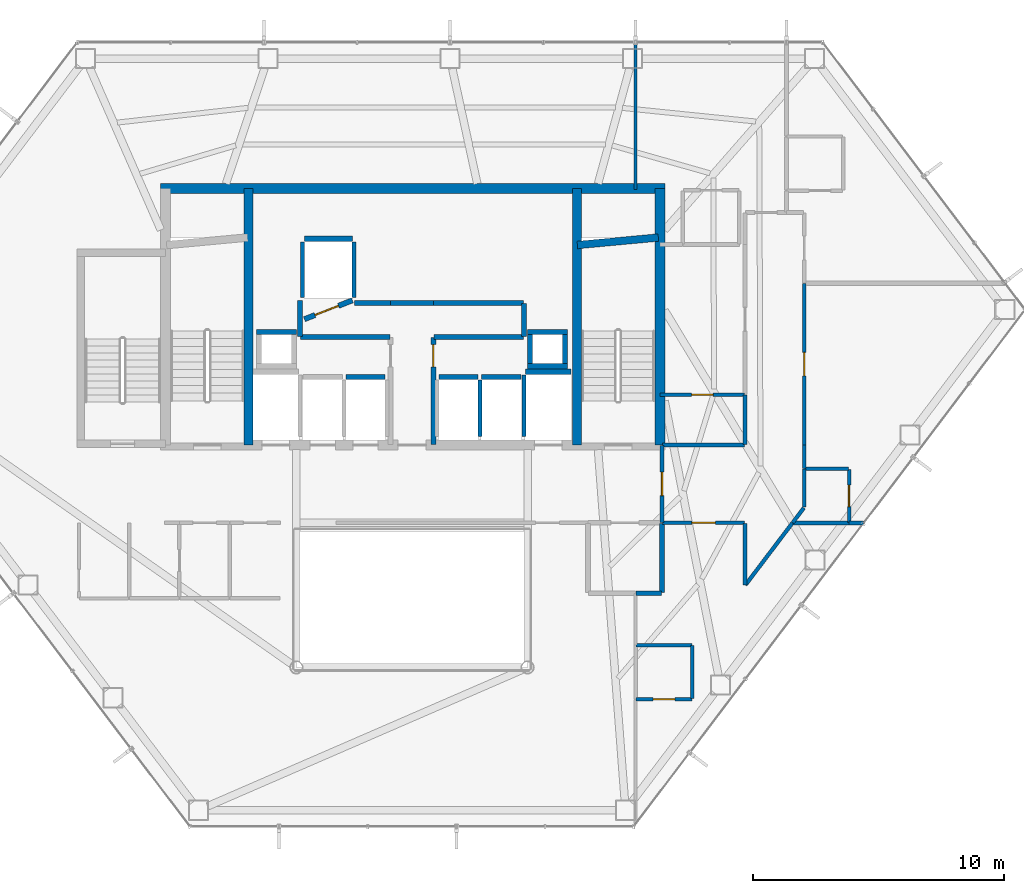
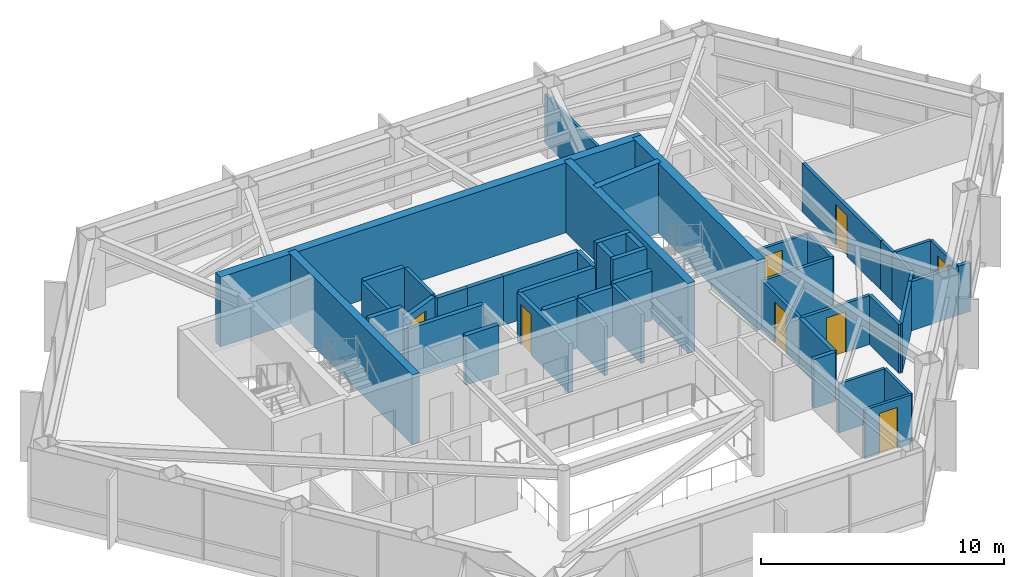
# One storey, part 26 of 28: 49 walls, 8 doors, 8 openings.
"""IFC4 building model written with IfcOpenShell, lengths in metres."""

from ifc_helpers import new_model, si_unit, direction, frame, frame_2d, origin, place, context, subcontext, project, spatial, rectangle, extrude, material, layer, layer_set, type_object, element, fill, save


model = new_model("IFC4")

# Units and contexts
model_context = context("Model", 3, precision=1e-05, world=origin(), true_north=direction((0.0, 1.0)))
body_context = subcontext(model_context, "Body", "Model", "MODEL_VIEW")
ifc_project = project(units=[si_unit("LENGTHUNIT", "METRE"), si_unit("AREAUNIT", "SQUARE_METRE"), si_unit("VOLUMEUNIT", "CUBIC_METRE"), si_unit("PLANEANGLEUNIT", "RADIAN"), si_unit("MASSUNIT", "GRAM", prefix="KILO")], contexts=[model_context])

# Site, building, storey
site_placement = place(None, origin())
site = spatial("IfcSite", under=ifc_project, at=site_placement, CompositionType="ELEMENT")
building_placement = place(site_placement, origin())
building = spatial("IfcBuilding", under=site, at=building_placement, Name="Zarrinselat Tower", CompositionType="ELEMENT")
storey_placement = place(building_placement, frame((0.0, 0.0, 123.419921875)))
storey = spatial("IfcBuildingStorey", under=building, at=storey_placement, Name="L29", CompositionType="ELEMENT", Elevation=123.419921875)

# Walls
ifc_material_1 = material(Name="Fire-Rated Gypsum Board Partition", Category="gypsum")
ifc_layer_1 = layer(ifc_material_1, 0.1650390625)
ifc_layer_set_1 = layer_set([ifc_layer_1], Name="Fire-Rated Gypsum Board Partition")
wall_type_1 = type_object("IfcWallType", Name="WAL-PART-DEMISE", PredefinedType="PARTITIONING", material=ifc_layer_set_1)
wall_1_placement = place(storey_placement, frame((55.7919921875, 30.14990234375, 0.0), z_axis=(0.0, 0.0, 1.0), x_axis=(1.0, 0.0, 0.0)))
element("IfcWall", 1, at=wall_1_placement, inside=storey, type_object=wall_type_1, Name="L29 Partition Wall 49", PredefinedType="PARTITIONING", context=body_context, shape_type="SweptSolid", body=[
    extrude(rectangle(XDim=0.565185546875, YDim=0.1650390625, at=frame_2d((0.28271484375, 0.0))), origin(), (0.0, 0.0, 1.0), 2.45703125),
])
wall_2_placement = place(storey_placement, frame((53.556884765625, 30.14990234375, 0.0), z_axis=(0.0, 0.0, 1.0), x_axis=(1.0, 0.0, 0.0)))
element("IfcWall", 2, at=wall_2_placement, inside=storey, type_object=wall_type_1, Name="L29 Partition Wall 50", PredefinedType="PARTITIONING", context=body_context, shape_type="SweptSolid", body=[
    extrude(rectangle(XDim=2.22509765625, YDim=0.1650390625, at=frame_2d((1.112548828125, 0.0))), origin(), (0.0, 0.0, 1.0), 2.45703125),
])
ifc_material_2 = material(Name="Concrete C40/50", Category="concrete")
ifc_layer_2 = layer(ifc_material_2, 0.18994140625)
ifc_layer_set_2 = layer_set([ifc_layer_2], Name="Concrete C40/50")
wall_type_2 = type_object("IfcWallType", Name="WAL-PART-EI120", PredefinedType="PARTITIONING", material=ifc_layer_set_2)
wall_3_placement = place(storey_placement, frame((47.304931640625, 27.35009765625, 0.0), z_axis=(0.0, 0.0, 1.0), x_axis=(1.0, 0.0, 0.0)))
element("IfcWall", 3, at=wall_3_placement, inside=storey, type_object=wall_type_2, Name="L29 Partition Wall 18", PredefinedType="PARTITIONING", context=body_context, shape_type="SweptSolid", body=[
    extrude(rectangle(XDim=1.025146484375, YDim=0.18994140625, at=frame_2d((0.5126953125, 0.0))), origin(), (0.0, 0.0, 1.0), 2.45703125),
])
wall_4_placement = place(storey_placement, frame((48.35009765625, 27.3701171875, 0.0), z_axis=(0.0, 0.0, 1.0), x_axis=(0.0, 1.0, 0.0)))
element("IfcWall", 4, at=wall_4_placement, inside=storey, type_object=wall_type_2, Name="L29 Partition Wall 19", PredefinedType="PARTITIONING", context=body_context, shape_type="SweptSolid", body=[
    extrude(rectangle(XDim=2.759765625, YDim=0.18994140625, at=frame_2d((1.3798828125, 0.0))), origin(), (0.0, 0.0, 1.0), 2.45703125),
])

# Wall, opening, door
ifc_material_3 = material(Name="Fire-Rated Gypsum Board Partition", Category="gypsum")
ifc_layer_3 = layer(ifc_material_3, 0.14990234375)
ifc_layer_set_3 = layer_set([ifc_layer_3], Name="Fire-Rated Gypsum Board Partition")
wall_type_3 = type_object("IfcWallType", Name="WAL-PART-EI60", PredefinedType="PARTITIONING", material=ifc_layer_set_3)
wall_5_placement = place(storey_placement, frame((48.35009765625, 30.169921875, 0.0), z_axis=(0.0, 0.0, 1.0), x_axis=(0.0, 1.0, 0.0)))
wall_5 = element("IfcWall", 5, at=wall_5_placement, inside=storey, type_object=wall_type_3, Name="L29 Partition Wall 11", PredefinedType="PARTITIONING", context=body_context, shape_type="SweptSolid", body=[
    extrude(rectangle(XDim=3.06005859375, YDim=0.14990234375, at=frame_2d((1.530029296875, 0.0))), origin(), (0.0, 0.0, 1.0), 2.45703125),
])
opening_1_placement = place(wall_5_placement, frame((1.06005859375, 0.0, 0.0)))
opening_1 = element("IfcOpeningElement", 6, at=opening_1_placement, cuts=wall_5, Name="Opening ID-04", PredefinedType="OPENING", context=body_context, shape_type="SweptSolid", body=[
    extrude(rectangle(XDim=0.93994140625, YDim=2.050048828125, at=frame_2d((0.469970703125, 1.02490234375))), frame((0.0, 0.0849609375, 0.0), z_axis=(0.0, -1.0, 0.0), x_axis=(1.0, 0.0, 0.0)), (0.0, 0.0, 1.0), 0.169921875),
])
ifc_material_4 = material(Name="Fire-Rated Gypsum Board Partition")
door_type_1 = type_object("IfcDoorType", Name="DR-INT-FD30-ENT", OperationType="NOTDEFINED", PredefinedType="DOOR", material=ifc_material_4)
door_1_placement = place(opening_1_placement, origin())
door_1 = element("IfcDoor", 7, at=door_1_placement, inside=storey, type_object=door_type_1, Name="L29 Interior Door P11", OperationType="SINGLE_SWING_LEFT", OverallHeight=2.050048828125, OverallWidth=0.93994140625, PredefinedType="DOOR", context=body_context, shape_type="SweptSolid", body=[
    extrude(rectangle(XDim=0.93994140625, YDim=2.050048828125, at=frame_2d((0.469970703125, 1.02490234375))), frame((0.0, 0.02490234375, 0.0), z_axis=(0.0, -1.0, 0.0), x_axis=(1.0, 0.0, 0.0)), (0.0, 0.0, 1.0), 0.050048828125),
])
fill(opening_1, door_1)

# Walls
wall_6_placement = place(storey_placement, frame((51.662109375, 27.67529296875, 0.0), z_axis=(0.0, 0.0, 1.0), x_axis=(0.603831940294, 0.797111653334, 0.0)))
element("IfcWall", 8, at=wall_6_placement, inside=storey, type_object=wall_type_3, Name="L29 Partition Wall 20", PredefinedType="PARTITIONING", context=body_context, shape_type="SweptSolid", body=[
    extrude(rectangle(XDim=3.103515625, YDim=0.14990234375, at=frame_2d((1.5517578125, 0.0))), origin(), (0.0, 0.0, 1.0), 2.45703125),
])
wall_7_placement = place(storey_placement, frame((51.64990234375, 27.67919921875, 0.0), z_axis=(0.0, 0.0, 1.0), x_axis=(0.0, 1.0, 0.0)))
element("IfcWall", 9, at=wall_7_placement, inside=storey, type_object=wall_type_3, Name="L29 Partition Wall 21", PredefinedType="PARTITIONING", context=body_context, shape_type="SweptSolid", body=[
    extrude(rectangle(XDim=2.45068359375, YDim=0.14990234375, at=frame_2d((1.225341796875, 0.0))), origin(), (0.0, 0.0, 1.0), 2.45703125),
])

# Wall, opening, door
wall_8_placement = place(storey_placement, frame((48.3701171875, 30.14990234375, 0.0), z_axis=(0.0, 0.0, 1.0), x_axis=(1.0, 0.0, 0.0)))
wall_8 = element("IfcWall", 10, at=wall_8_placement, inside=storey, type_object=wall_type_3, Name="L29 Partition Wall 22", PredefinedType="PARTITIONING", context=body_context, shape_type="SweptSolid", body=[
    extrude(rectangle(XDim=3.259765625, YDim=0.14990234375, at=frame_2d((1.6298828125, 0.0))), origin(), (0.0, 0.0, 1.0), 2.45703125),
])
opening_2_placement = place(wall_8_placement, frame((1.159912109375, 0.0, 0.0)))
opening_2 = element("IfcOpeningElement", 11, at=opening_2_placement, cuts=wall_8, Name="Opening ID-04", PredefinedType="OPENING", context=body_context, shape_type="SweptSolid", body=[
    extrude(rectangle(XDim=0.93994140625, YDim=2.050048828125, at=frame_2d((0.469970703125, 1.02490234375))), frame((0.0, 0.0849609375, 0.0), z_axis=(0.0, -1.0, 0.0), x_axis=(1.0, 0.0, 0.0)), (0.0, 0.0, 1.0), 0.169921875),
])
door_2_placement = place(opening_2_placement, origin())
door_2 = element("IfcDoor", 12, at=door_2_placement, inside=storey, type_object=door_type_1, Name="L29 Interior Door P22", OperationType="SINGLE_SWING_LEFT", OverallHeight=2.050048828125, OverallWidth=0.93994140625, PredefinedType="DOOR", context=body_context, shape_type="SweptSolid", body=[
    extrude(rectangle(XDim=0.93994140625, YDim=2.050048828125, at=frame_2d((0.469970703125, 1.02490234375))), frame((0.0, 0.02490234375, 0.0), z_axis=(0.0, -1.0, 0.0), x_axis=(1.0, 0.0, 0.0)), (0.0, 0.0, 1.0), 0.050048828125),
])
fill(opening_2, door_2)

wall_9_placement = place(storey_placement, frame((54.0, 33.25, 0.0), z_axis=(0.0, 0.0, 1.0), x_axis=(0.0, 1.0, 0.0)))
wall_9 = element("IfcWall", 13, at=wall_9_placement, inside=storey, type_object=wall_type_3, Name="L29 Partition Wall 23", PredefinedType="PARTITIONING", context=body_context, shape_type="SweptSolid", body=[
    extrude(rectangle(XDim=6.42333984375, YDim=0.14990234375, at=frame_2d((3.211669921875, 0.0))), origin(), (0.0, 0.0, 1.0), 2.45703125),
])
opening_3_placement = place(wall_9_placement, frame((2.74169921875, 0.0, 0.0)))
opening_3 = element("IfcOpeningElement", 14, at=opening_3_placement, cuts=wall_9, Name="Opening ID-04", PredefinedType="OPENING", context=body_context, shape_type="SweptSolid", body=[
    extrude(rectangle(XDim=0.93994140625, YDim=2.050048828125, at=frame_2d((0.469970703125, 1.02490234375))), frame((0.0, 0.0849609375, 0.0), z_axis=(0.0, -1.0, 0.0), x_axis=(1.0, 0.0, 0.0)), (0.0, 0.0, 1.0), 0.169921875),
])
door_3_placement = place(opening_3_placement, origin())
door_3 = element("IfcDoor", 15, at=door_3_placement, inside=storey, type_object=door_type_1, Name="L29 Interior Door P23", OperationType="SINGLE_SWING_RIGHT", OverallHeight=2.050048828125, OverallWidth=0.93994140625, PredefinedType="DOOR", context=body_context, shape_type="SweptSolid", body=[
    extrude(rectangle(XDim=0.93994140625, YDim=2.050048828125, at=frame_2d((0.469970703125, 1.02490234375))), frame((0.0, 0.02490234375, 0.0), z_axis=(0.0, -1.0, 0.0), x_axis=(1.0, 0.0, 0.0)), (0.0, 0.0, 1.0), 0.050048828125),
])
fill(opening_3, door_3)

# Walls
wall_10_placement = place(storey_placement, frame((54.0, 32.304931640625, 0.0), z_axis=(0.0, 0.0, 1.0), x_axis=(0.0, 1.0, 0.0)))
element("IfcWall", 16, at=wall_10_placement, inside=storey, type_object=wall_type_3, Name="L29 Partition Wall 24", PredefinedType="PARTITIONING", context=body_context, shape_type="SweptSolid", body=[
    extrude(rectangle(XDim=0.945068359375, YDim=0.14990234375, at=frame_2d((0.47265625, 0.0))), origin(), (0.0, 0.0, 1.0), 2.45703125),
])
wall_11_placement = place(storey_placement, frame((54.0, 30.78125, 0.0), z_axis=(0.0, 0.0, 1.0), x_axis=(0.0, 1.0, 0.0)))
element("IfcWall", 17, at=wall_11_placement, inside=storey, type_object=wall_type_3, Name="L29 Partition Wall 25", PredefinedType="PARTITIONING", context=body_context, shape_type="SweptSolid", body=[
    extrude(rectangle(XDim=1.513671875, YDim=0.14990234375, at=frame_2d((0.7568359375, 0.0))), origin(), (0.0, 0.0, 1.0), 2.45703125),
])
wall_12_placement = place(storey_placement, frame((53.5400390625, 30.154052734375, 0.0), z_axis=(0.0, 0.0, 1.0), x_axis=(0.603680225987, 0.797226557982, 0.0)))
element("IfcWall", 18, at=wall_12_placement, inside=storey, type_object=wall_type_3, Name="L29 Partition Wall 26", PredefinedType="PARTITIONING", context=body_context, shape_type="SweptSolid", body=[
    extrude(rectangle(XDim=0.74169921875, YDim=0.14990234375, at=frame_2d((0.370849609375, 0.0))), origin(), (0.0, 0.0, 1.0), 2.45703125),
])
wall_13_placement = place(storey_placement, frame((48.364990234375, 33.25, 0.0), z_axis=(0.0, 0.0, 1.0), x_axis=(1.0, 0.0, 0.0)))
element("IfcWall", 19, at=wall_13_placement, inside=storey, type_object=wall_type_3, Name="L29 Partition Wall 30", PredefinedType="PARTITIONING", context=body_context, shape_type="SweptSolid", body=[
    extrude(rectangle(XDim=3.264892578125, YDim=0.14990234375, at=frame_2d((1.63232421875, 0.0))), origin(), (0.0, 0.0, 1.0), 2.45703125),
])
wall_14_placement = place(storey_placement, frame((51.64990234375, 33.27001953125, 0.0), z_axis=(0.0, 0.0, 1.0), x_axis=(0.0, 1.0, 0.0)))
element("IfcWall", 20, at=wall_14_placement, inside=storey, type_object=wall_type_3, Name="L29 Partition Wall 31", PredefinedType="PARTITIONING", context=body_context, shape_type="SweptSolid", body=[
    extrude(rectangle(XDim=1.969482421875, YDim=0.14990234375, at=frame_2d((0.98486328125, 0.0))), origin(), (0.0, 0.0, 1.0), 2.45703125),
])
ifc_material_5 = material(Name="Concrete C40/50", Category="concrete")
ifc_layer_4 = layer(ifc_material_5, 0.199951171875)
ifc_layer_set_4 = layer_set([ifc_layer_4], Name="Concrete C40/50")
wall_type_4 = type_object("IfcWallType", Name="WAL-PART-PLANT", PredefinedType="PARTITIONING", material=ifc_layer_set_4)
wall_15_placement = place(storey_placement, frame((33.969970703125, 37.550048828125, 0.0), z_axis=(0.0, 0.0, 1.0), x_axis=(1.0, 0.0, 0.0)))
element("IfcWall", 21, at=wall_15_placement, inside=storey, type_object=wall_type_4, Name="L29 Partition Wall 2", PredefinedType="PARTITIONING", context=body_context, shape_type="SweptSolid", body=[
    extrude(rectangle(XDim=3.56005859375, YDim=0.199951171875, at=frame_2d((1.780029296875, 0.0))), origin(), (0.0, 0.0, 1.0), 2.45703125),
])
wall_16_placement = place(storey_placement, frame((33.949951171875, 37.570068359375, 0.0), z_axis=(0.0, 0.0, 1.0), x_axis=(0.0, 1.0, 0.0)))
element("IfcWall", 22, at=wall_16_placement, inside=storey, type_object=wall_type_4, Name="L29 Partition Wall 3", PredefinedType="PARTITIONING", context=body_context, shape_type="SweptSolid", body=[
    extrude(rectangle(XDim=1.4150390625, YDim=0.199951171875, at=frame_2d((0.70751953125, 0.0))), origin(), (0.0, 0.0, 1.0), 2.45703125),
])
wall_17_placement = place(storey_placement, frame((36.114990234375, 38.889892578125, 0.0), z_axis=(0.0, 0.0, 1.0), x_axis=(1.0, 0.0, 0.0)))
element("IfcWall", 23, at=wall_17_placement, inside=storey, type_object=wall_type_4, Name="L29 Partition Wall 4", PredefinedType="PARTITIONING", context=body_context, shape_type="SweptSolid", body=[
    extrude(rectangle(XDim=1.43505859375, YDim=0.199951171875, at=frame_2d((0.717529296875, 0.0))), origin(), (0.0, 0.0, 1.0), 2.45703125),
])
wall_18_placement = place(storey_placement, frame((37.550048828125, 38.889892578125, 0.0), z_axis=(0.0, 0.0, 1.0), x_axis=(1.0, 0.0, 0.0)))
element("IfcWall", 24, at=wall_18_placement, inside=storey, type_object=wall_type_4, Name="L29 Partition Wall 5", PredefinedType="PARTITIONING", context=body_context, shape_type="SweptSolid", body=[
    extrude(rectangle(XDim=1.699951171875, YDim=0.199951171875, at=frame_2d((0.85009765625, 0.0))), origin(), (0.0, 0.0, 1.0), 2.45703125),
])
wall_19_placement = place(storey_placement, frame((39.25, 38.889892578125, 0.0), z_axis=(0.0, 0.0, 1.0), x_axis=(1.0, 0.0, 0.0)))
element("IfcWall", 25, at=wall_19_placement, inside=storey, type_object=wall_type_4, Name="L29 Partition Wall 6", PredefinedType="PARTITIONING", context=body_context, shape_type="SweptSolid", body=[
    extrude(rectangle(XDim=3.580078125, YDim=0.199951171875, at=frame_2d((1.7900390625, 0.0))), origin(), (0.0, 0.0, 1.0), 2.45703125),
])
wall_20_placement = place(storey_placement, frame((42.85009765625, 37.570068359375, 0.0), z_axis=(0.0, 0.0, 1.0), x_axis=(0.0, 1.0, 0.0)))
element("IfcWall", 26, at=wall_20_placement, inside=storey, type_object=wall_type_4, Name="L29 Partition Wall 7", PredefinedType="PARTITIONING", context=body_context, shape_type="SweptSolid", body=[
    extrude(rectangle(XDim=1.300048828125, YDim=0.199951171875, at=frame_2d((0.64990234375, 0.0))), origin(), (0.0, 0.0, 1.0), 2.45703125),
])
wall_21_placement = place(storey_placement, frame((39.27001953125, 37.550048828125, 0.0), z_axis=(0.0, 0.0, 1.0), x_axis=(1.0, 0.0, 0.0)))
element("IfcWall", 27, at=wall_21_placement, inside=storey, type_object=wall_type_4, Name="L29 Partition Wall 8", PredefinedType="PARTITIONING", context=body_context, shape_type="SweptSolid", body=[
    extrude(rectangle(XDim=3.56005859375, YDim=0.199951171875, at=frame_2d((1.780029296875, 0.0))), origin(), (0.0, 0.0, 1.0), 2.45703125),
])

# Wall, opening, door
wall_22_placement = place(storey_placement, frame((39.25, 33.264892578125, 0.0), z_axis=(0.0, 0.0, 1.0), x_axis=(0.0, 1.0, 0.0)))
wall_22 = element("IfcWall", 28, at=wall_22_placement, inside=storey, type_object=wall_type_4, Name="L29 Partition Wall 9", PredefinedType="PARTITIONING", context=body_context, shape_type="SweptSolid", body=[
    extrude(rectangle(XDim=4.26513671875, YDim=0.199951171875, at=frame_2d((2.132568359375, 0.0))), origin(), (0.0, 0.0, 1.0), 2.45703125),
])
opening_4_placement = place(wall_22_placement, frame((3.092529296875, 0.0, 0.0)))
opening_4 = element("IfcOpeningElement", 29, at=opening_4_placement, cuts=wall_22, Name="Opening ID-03", PredefinedType="OPENING", context=body_context, shape_type="SweptSolid", body=[
    extrude(rectangle(XDim=0.8798828125, YDim=2.050048828125, at=frame_2d((0.43994140625, 1.02490234375))), frame((0.0, 0.10986328125, 0.0), z_axis=(0.0, -1.0, 0.0), x_axis=(1.0, 0.0, 0.0)), (0.0, 0.0, 1.0), 0.219970703125),
])
ifc_material_6 = material(Name="Steel S355J2", Category="steel")
door_type_2 = type_object("IfcDoorType", Name="DR-INT-FD60-S", OperationType="NOTDEFINED", PredefinedType="DOOR", material=ifc_material_6)
door_4_placement = place(opening_4_placement, origin())
door_4 = element("IfcDoor", 30, at=door_4_placement, inside=storey, type_object=door_type_2, Name="L29 Interior Door P9", OperationType="SINGLE_SWING_LEFT", OverallHeight=2.050048828125, OverallWidth=0.8798828125, PredefinedType="DOOR", context=body_context, shape_type="SweptSolid", body=[
    extrude(rectangle(XDim=0.8798828125, YDim=2.050048828125, at=frame_2d((0.43994140625, 1.02490234375))), frame((0.0, 0.02490234375, 0.0), z_axis=(0.0, -1.0, 0.0), x_axis=(1.0, 0.0, 0.0)), (0.0, 0.0, 1.0), 0.050048828125),
])
fill(opening_4, door_4)

# Wall
ifc_material_7 = material(Name="Fire-Rated Gypsum Board Partition", Category="gypsum")
ifc_layer_5 = layer(ifc_material_7, 0.1201171875)
ifc_layer_set_5 = layer_set([ifc_layer_5], Name="Fire-Rated Gypsum Board Partition")
wall_type_5 = type_object("IfcWallType", Name="WAL-PART-STD", PredefinedType="PARTITIONING", material=ifc_layer_set_5)
wall_23_placement = place(storey_placement, frame((47.300048828125, 43.4150390625, 0.0), z_axis=(0.0, 0.0, 1.0), x_axis=(0.0, 1.0, 0.0)))
element("IfcWall", 31, at=wall_23_placement, inside=storey, type_object=wall_type_5, Name="L29 Partition Wall 45", PredefinedType="PARTITIONING", context=body_context, shape_type="SweptSolid", body=[
    extrude(rectangle(XDim=5.836669921875, YDim=0.1201171875, at=frame_2d((2.91845703125, 0.0))), origin(), (0.0, 0.0, 1.0), 2.45703125),
])

# Wall, opening, door
ifc_material_8 = material(Name="Fire-Rated Gypsum Board Partition", Category="gypsum")
ifc_layer_6 = layer(ifc_material_8, 0.135009765625)
ifc_layer_set_6 = layer_set([ifc_layer_6], Name="Fire-Rated Gypsum Board Partition")
wall_type_6 = type_object("IfcWallType", Name="WAL-PART-WET", PredefinedType="PARTITIONING", material=ifc_layer_set_6)
wall_24_placement = place(storey_placement, frame((47.320068359375, 23.136962890625, 0.0), z_axis=(0.0, 0.0, 1.0), x_axis=(1.0, 0.0, 0.0)))
wall_24 = element("IfcWall", 32, at=wall_24_placement, inside=storey, type_object=wall_type_6, Name="L29 Partition Wall 46", PredefinedType="PARTITIONING", context=body_context, shape_type="SweptSolid", body=[
    extrude(rectangle(XDim=2.2099609375, YDim=0.135009765625, at=frame_2d((1.10498046875, 0.0))), origin(), (0.0, 0.0, 1.0), 2.45703125),
])
opening_5_placement = place(wall_24_placement, frame((0.675048828125, 0.0, 0.0)))
opening_5 = element("IfcOpeningElement", 33, at=opening_5_placement, cuts=wall_24, Name="Opening ID-06", PredefinedType="OPENING", context=body_context, shape_type="SweptSolid", body=[
    extrude(rectangle(XDim=0.860107421875, YDim=2.050048828125, at=frame_2d((0.43017578125, 1.02490234375))), frame((0.0, 0.077392578125, 0.0), z_axis=(0.0, -1.0, 0.0), x_axis=(1.0, 0.0, 0.0)), (0.0, 0.0, 1.0), 0.155029296875),
])
ifc_material_9 = material(Name="Extruded Aluminium Alloy EN AW-6063 T6", Category="aluminium")
door_type_3 = type_object("IfcDoorType", Name="DR-INT-WET-900", OperationType="NOTDEFINED", PredefinedType="DOOR", material=ifc_material_9)
door_5_placement = place(opening_5_placement, origin())
door_5 = element("IfcDoor", 34, at=door_5_placement, inside=storey, type_object=door_type_3, Name="L29 Interior Door P46", OperationType="SINGLE_SWING_RIGHT", OverallHeight=2.050048828125, OverallWidth=0.860107421875, PredefinedType="DOOR", context=body_context, shape_type="SweptSolid", body=[
    extrude(rectangle(XDim=0.860107421875, YDim=2.050048828125, at=frame_2d((0.43017578125, 1.02490234375))), frame((0.0, 0.02490234375, 0.0), z_axis=(0.0, -1.0, 0.0), x_axis=(1.0, 0.0, 0.0)), (0.0, 0.0, 1.0), 0.050048828125),
])
fill(opening_5, door_5)

# Walls
wall_25_placement = place(storey_placement, frame((49.550048828125, 23.156982421875, 0.0), z_axis=(0.0, 0.0, 1.0), x_axis=(0.0, 1.0, 0.0)))
element("IfcWall", 35, at=wall_25_placement, inside=storey, type_object=wall_type_6, Name="L29 Partition Wall 47", PredefinedType="PARTITIONING", context=body_context, shape_type="SweptSolid", body=[
    extrude(rectangle(XDim=2.110107421875, YDim=0.135009765625, at=frame_2d((1.05517578125, 0.0))), origin(), (0.0, 0.0, 1.0), 2.45703125),
])
wall_26_placement = place(storey_placement, frame((47.320068359375, 25.287109375, 0.0), z_axis=(0.0, 0.0, 1.0), x_axis=(1.0, 0.0, 0.0)))
element("IfcWall", 36, at=wall_26_placement, inside=storey, type_object=wall_type_6, Name="L29 Partition Wall 48", PredefinedType="PARTITIONING", context=body_context, shape_type="SweptSolid", body=[
    extrude(rectangle(XDim=2.2099609375, YDim=0.135009765625, at=frame_2d((1.10498046875, 0.0))), origin(), (0.0, 0.0, 1.0), 2.45703125),
])

# Wall, opening, door
wall_27_placement = place(storey_placement, frame((55.786865234375, 30.169921875, 0.0), z_axis=(0.0, 0.0, 1.0), x_axis=(0.0, 1.0, 0.0)))
wall_27 = element("IfcWall", 37, at=wall_27_placement, inside=storey, type_object=wall_type_6, Name="L29 Partition Wall 51", PredefinedType="PARTITIONING", context=body_context, shape_type="SweptSolid", body=[
    extrude(rectangle(XDim=2.110107421875, YDim=0.135009765625, at=frame_2d((1.05517578125, 0.0))), origin(), (0.0, 0.0, 1.0), 2.45703125),
])
opening_6_placement = place(wall_27_placement, frame((0.625, 0.0, 0.0)))
opening_6 = element("IfcOpeningElement", 38, at=opening_6_placement, cuts=wall_27, Name="Opening ID-06", PredefinedType="OPENING", context=body_context, shape_type="SweptSolid", body=[
    extrude(rectangle(XDim=0.860107421875, YDim=2.050048828125, at=frame_2d((0.43017578125, 1.02490234375))), frame((0.0, 0.077392578125, 0.0), z_axis=(0.0, -1.0, 0.0), x_axis=(1.0, 0.0, 0.0)), (0.0, 0.0, 1.0), 0.155029296875),
])
door_6_placement = place(opening_6_placement, origin())
door_6 = element("IfcDoor", 39, at=door_6_placement, inside=storey, type_object=door_type_3, Name="L29 Interior Door P51", OperationType="SINGLE_SWING_LEFT", OverallHeight=2.050048828125, OverallWidth=0.860107421875, PredefinedType="DOOR", context=body_context, shape_type="SweptSolid", body=[
    extrude(rectangle(XDim=0.860107421875, YDim=2.050048828125, at=frame_2d((0.43017578125, 1.02490234375))), frame((0.0, 0.02490234375, 0.0), z_axis=(0.0, -1.0, 0.0), x_axis=(1.0, 0.0, 0.0)), (0.0, 0.0, 1.0), 0.050048828125),
])
fill(opening_6, door_6)

# Wall
wall_28_placement = place(storey_placement, frame((54.02001953125, 32.300048828125, 0.0), z_axis=(0.0, 0.0, 1.0), x_axis=(1.0, 0.0, 0.0)))
element("IfcWall", 40, at=wall_28_placement, inside=storey, type_object=wall_type_6, Name="L29 Partition Wall 52", PredefinedType="PARTITIONING", context=body_context, shape_type="SweptSolid", body=[
    extrude(rectangle(XDim=1.746826171875, YDim=0.135009765625, at=frame_2d((0.87353515625, 0.0))), origin(), (0.0, 0.0, 1.0), 2.45703125),
])

# Wall, opening, door
wall_29_placement = place(storey_placement, frame((48.27490234375, 35.24462890625, 0.0), z_axis=(0.0, 0.0, 1.0), x_axis=(1.0, 0.0, 0.0)))
wall_29 = element("IfcWall", 41, at=wall_29_placement, inside=storey, type_object=wall_type_6, Name="L29 Partition Wall 60", PredefinedType="PARTITIONING", context=body_context, shape_type="SweptSolid", body=[
    extrude(rectangle(XDim=3.35498046875, YDim=0.135009765625, at=frame_2d((1.677490234375, 0.0))), origin(), (0.0, 0.0, 1.0), 2.45703125),
])
opening_7_placement = place(wall_29_placement, frame((1.24755859375, 0.0, 0.0)))
opening_7 = element("IfcOpeningElement", 42, at=opening_7_placement, cuts=wall_29, Name="Opening ID-06", PredefinedType="OPENING", context=body_context, shape_type="SweptSolid", body=[
    extrude(rectangle(XDim=0.860107421875, YDim=2.050048828125, at=frame_2d((0.43017578125, 1.02490234375))), frame((0.0, 0.077392578125, 0.0), z_axis=(0.0, -1.0, 0.0), x_axis=(1.0, 0.0, 0.0)), (0.0, 0.0, 1.0), 0.155029296875),
])
door_7_placement = place(opening_7_placement, origin())
door_7 = element("IfcDoor", 43, at=door_7_placement, inside=storey, type_object=door_type_3, Name="L29 Interior Door P60", OperationType="SINGLE_SWING_LEFT", OverallHeight=2.050048828125, OverallWidth=0.860107421875, PredefinedType="DOOR", context=body_context, shape_type="SweptSolid", body=[
    extrude(rectangle(XDim=0.860107421875, YDim=2.050048828125, at=frame_2d((0.43017578125, 1.02490234375))), frame((0.0, 0.02490234375, 0.0), z_axis=(0.0, -1.0, 0.0), x_axis=(1.0, 0.0, 0.0)), (0.0, 0.0, 1.0), 0.050048828125),
])
fill(opening_7, door_7)

# Walls
ifc_material_10 = material(Name="Concrete C40/50", Category="concrete")
ifc_layer_7 = layer(ifc_material_10, 0.2099609375)
ifc_layer_set_7 = layer_set([ifc_layer_7], Name="Concrete C40/50")
wall_type_7 = type_object("IfcWallType", Name="WAL-SHAFT-210", PredefinedType="SOLIDWALL", material=ifc_layer_set_7)
wall_30_placement = place(storey_placement, frame((42.919921875, 36.155029296875, 0.0), z_axis=(0.0, 0.0, 1.0), x_axis=(1.0, 0.0, 0.0)))
element("IfcWall", 44, at=wall_30_placement, inside=storey, type_object=wall_type_7, Name="L29 Lift FFL2 North Shaft Wall", PredefinedType="SOLIDWALL", context=body_context, shape_type="SweptSolid", body=[
    extrude(rectangle(XDim=1.800048828125, YDim=0.2099609375, at=frame_2d((0.89990234375, 0.0))), origin(), (0.0, 0.0, 1.0), 2.47216796875),
])
wall_31_placement = place(storey_placement, frame((42.85009765625, 33.580078125, 0.0), z_axis=(0.0, 0.0, 1.0), x_axis=(0.0, 1.0, 0.0)))
element("IfcWall", 45, at=wall_31_placement, inside=storey, type_object=wall_type_7, Name="L29 Lift FFL2 W Shaft Wall", PredefinedType="SOLIDWALL", context=body_context, shape_type="SweptSolid", body=[
    extrude(rectangle(XDim=2.449951171875, YDim=0.159912109375, at=frame_2d((1.22509765625, 0.0))), origin(), (0.0, 0.0, 1.0), 2.47216796875),
])
wall_32_placement = place(storey_placement, frame((35.77001953125, 35.955078125, 0.0), z_axis=(0.0, 0.0, 1.0), x_axis=(1.0, 0.0, 0.0)))
element("IfcWall", 46, at=wall_32_placement, inside=storey, type_object=wall_type_7, Name="L29 Lift PL6 North Shaft Wall", PredefinedType="SOLIDWALL", context=body_context, shape_type="SweptSolid", body=[
    extrude(rectangle(XDim=1.56005859375, YDim=0.2099609375, at=frame_2d((0.780029296875, 0.0))), origin(), (0.0, 0.0, 1.0), 2.47216796875),
])

# Wall, opening, door
wall_33_placement = place(storey_placement, frame((34.1201171875, 38.25, 0.0), z_axis=(0.0, 0.0, 1.0), x_axis=(0.930804993012, 0.36551616241, 0.0)))
wall_33 = element("IfcWall", 47, at=wall_33_placement, inside=storey, type_object=wall_type_7, Name="L29 Lift PL7 Front Shaft Wall", PredefinedType="SOLIDWALL", context=body_context, shape_type="SweptSolid", body=[
    extrude(rectangle(XDim=2.052001953125, YDim=0.2099609375, at=frame_2d((1.02587890625, 0.0))), origin(), (0.0, 0.0, 1.0), 2.47216796875),
])
opening_8_placement = place(wall_33_placement, frame((0.455078125, 0.0, 0.0)))
opening_8 = element("IfcOpeningElement", 48, at=opening_8_placement, cuts=wall_33, Name="Opening LD-PL7", PredefinedType="OPENING", context=body_context, shape_type="SweptSolid", body=[
    extrude(rectangle(XDim=1.0, YDim=2.10009765625, at=frame_2d((0.5, 1.050048828125))), frame((0.0, 0.114990234375, 0.0), z_axis=(0.0, -1.0, 0.0), x_axis=(1.0, 0.0, 0.0)), (0.0, 0.0, 1.0), 0.22998046875),
])
ifc_material_11 = material(Name="Steel S355J2", Category="steel")
door_type_4 = type_object("IfcDoorType", Name="DR-LIFT-PS-1000", OperationType="NOTDEFINED", PredefinedType="DOOR", material=ifc_material_11)
door_8_placement = place(opening_8_placement, origin())
door_8 = element("IfcDoor", 49, at=door_8_placement, inside=storey, type_object=door_type_4, Name="L29 Lift PL7 Sliding Landing Door", OperationType="SLIDING_TO_LEFT", OverallHeight=2.10009765625, OverallWidth=1.0, PredefinedType="DOOR", context=body_context, shape_type="SweptSolid", body=[
    extrude(rectangle(XDim=1.0, YDim=2.10009765625, at=frame_2d((0.5, 1.050048828125))), frame((0.0, 0.02490234375, 0.0), z_axis=(0.0, -1.0, 0.0), x_axis=(1.0, 0.0, 0.0)), (0.0, 0.0, 1.0), 0.050048828125),
])
fill(opening_8, door_8)

# Walls
wall_34_placement = place(storey_placement, frame((34.1201171875, 41.455078125, 0.0), z_axis=(0.0, 0.0, 1.0), x_axis=(1.0, 0.0, 0.0)))
element("IfcWall", 50, at=wall_34_placement, inside=storey, type_object=wall_type_7, Name="L29 Lift PL7 Rear Shaft Wall", PredefinedType="SOLIDWALL", context=body_context, shape_type="SweptSolid", body=[
    extrude(rectangle(XDim=1.909912109375, YDim=0.2099609375, at=frame_2d((0.955078125, 0.0))), origin(), (0.0, 0.0, 1.0), 2.47216796875),
])
for number, where, z_axis, x_axis, name in (
    (51, (34.050048828125, 39.1201171875, 0.0), (0.0, 0.0, 1.0), (0.0, 1.0, 0.0), "L29 Lift PL7 W Shaft Wall"),
    (52, (36.10009765625, 39.1201171875, 0.0), (0.0, 0.0, 1.0), (0.0, 1.0, 0.0), "L29 Lift PL7 E Shaft Wall"),
):
    element("IfcWall", number, at=place(storey_placement, frame(where, z_axis=z_axis, x_axis=x_axis)), inside=storey, type_object=wall_type_7, Name=name, PredefinedType="SOLIDWALL", context=body_context, shape_type="SweptSolid", body=[
        extrude(rectangle(XDim=2.2099609375, YDim=0.159912109375, at=frame_2d((1.10498046875, 0.0))), origin(), (0.0, 0.0, 1.0), 2.47216796875),
    ])
wall_35_placement = place(storey_placement, frame((39.469970703125, 35.955078125, 0.0), z_axis=(0.0, 0.0, 1.0), x_axis=(1.0, 0.0, 0.0)))
element("IfcWall", 53, at=wall_35_placement, inside=storey, type_object=wall_type_7, Name="L29 Lift PL8 North Shaft Wall", PredefinedType="SOLIDWALL", context=body_context, shape_type="SweptSolid", body=[
    extrude(rectangle(XDim=1.56005859375, YDim=0.2099609375, at=frame_2d((0.780029296875, 0.0))), origin(), (0.0, 0.0, 1.0), 2.47216796875),
])
wall_36_placement = place(storey_placement, frame((41.10009765625, 33.580078125, 0.0), z_axis=(0.0, 0.0, 1.0), x_axis=(0.0, 1.0, 0.0)))
element("IfcWall", 54, at=wall_36_placement, inside=storey, type_object=wall_type_7, Name="L29 Lift PL8 E Shaft Wall", PredefinedType="SOLIDWALL", context=body_context, shape_type="SweptSolid", body=[
    extrude(rectangle(XDim=2.25, YDim=0.159912109375, at=frame_2d((1.125, 0.0))), origin(), (0.0, 0.0, 1.0), 2.47216796875),
])
wall_37_placement = place(storey_placement, frame((41.169921875, 35.955078125, 0.0), z_axis=(0.0, 0.0, 1.0), x_axis=(1.0, 0.0, 0.0)))
element("IfcWall", 55, at=wall_37_placement, inside=storey, type_object=wall_type_7, Name="L29 Lift PL9 North Shaft Wall", PredefinedType="SOLIDWALL", context=body_context, shape_type="SweptSolid", body=[
    extrude(rectangle(XDim=1.56005859375, YDim=0.2099609375, at=frame_2d((0.780029296875, 0.0))), origin(), (0.0, 0.0, 1.0), 2.47216796875),
])
for number, where, z_axis, x_axis, name in (
    (56, (32.2099609375, 37.7451171875, 0.0), (0.0, 0.0, 1.0), (1.0, 0.0, 0.0), "L29 Core Riser RSR-W N Shaft Wall"),
    (57, (42.989990234375, 36.375, 0.0), (0.0, 0.0, 1.0), (1.0, 0.0, 0.0), "L29 Core Riser RSR-E S Shaft Wall"),
    (58, (42.989990234375, 37.7451171875, 0.0), (0.0, 0.0, 1.0), (1.0, 0.0, 0.0), "L29 Core Riser RSR-E N Shaft Wall"),
):
    element("IfcWall", number, at=place(storey_placement, frame(where, z_axis=z_axis, x_axis=x_axis)), inside=storey, type_object=wall_type_7, Name=name, PredefinedType="SOLIDWALL", context=body_context, shape_type="SweptSolid", body=[
        extrude(rectangle(XDim=1.60009765625, YDim=0.2099609375, at=frame_2d((0.800048828125, 0.0))), origin(), (0.0, 0.0, 1.0), 3.5),
    ])
for number, where, z_axis, x_axis, name in (
    (59, (43.094970703125, 36.485107421875, 0.0), (0.0, 0.0, 1.0), (0.0, 1.0, 0.0), "L29 Core Riser RSR-E W Shaft Wall"),
    (60, (44.485107421875, 36.485107421875, 0.0), (0.0, 0.0, 1.0), (0.0, 1.0, 0.0), "L29 Core Riser RSR-E E Shaft Wall"),
):
    element("IfcWall", number, at=place(storey_placement, frame(where, z_axis=z_axis, x_axis=x_axis)), inside=storey, type_object=wall_type_7, Name=name, PredefinedType="SOLIDWALL", context=body_context, shape_type="SweptSolid", body=[
        extrude(rectangle(XDim=1.14990234375, YDim=0.2099609375, at=frame_2d((0.574951171875, 0.0))), origin(), (0.0, 0.0, 1.0), 3.5),
    ])
ifc_material_12 = material(Name="Concrete C40/50", Category="concrete")
ifc_layer_8 = layer(ifc_material_12, 0.300048828125)
ifc_layer_set_8 = layer_set([ifc_layer_8], Name="Concrete C40/50")
wall_type_8 = type_object("IfcWallType", Name="WAL-SHEAR-300", PredefinedType="SHEAR", material=ifc_layer_set_8)
wall_38_placement = place(storey_placement, frame((44.97998046875, 41.199951171875, 0.0), z_axis=(0.0, 0.0, 1.0), x_axis=(0.995686468965, 0.09278176286, 0.0)))
element("IfcWall", 61, at=wall_38_placement, inside=storey, type_object=wall_type_8, Name="L29 Stair 2 North Shaft Wall", PredefinedType="SHEAR", context=body_context, shape_type="SweptSolid", body=[
    extrude(rectangle(XDim=3.23388671875, YDim=0.300048828125, at=frame_2d((1.616943359375, 0.0))), origin(), (0.0, 0.0, 1.0), 3.5),
])
ifc_material_13 = material(Name="Concrete C50/60", Category="concrete")
ifc_layer_9 = layer(ifc_material_13, 0.35009765625)
ifc_layer_set_9 = layer_set([ifc_layer_9], Name="Concrete C50/60")
wall_type_9 = type_object("IfcWallType", Name="WAL-SHEAR-350", PredefinedType="SHEAR", material=ifc_layer_set_9)
for number, where, z_axis, x_axis, name in (
    (62, (31.89501953125, 33.25, 0.0), (0.0, 0.0, 1.0), (0.0, 1.0, 0.0), "L29 Core Shear Wall ST1E"),
    (63, (44.965087890625, 33.25, 0.0), (0.0, 0.0, 1.0), (0.0, 1.0, 0.0), "L29 Core Shear Wall ST2W"),
):
    element("IfcWall", number, at=place(storey_placement, frame(where, z_axis=z_axis, x_axis=x_axis)), inside=storey, type_object=wall_type_9, Name=name, PredefinedType="SHEAR", context=body_context, shape_type="SweptSolid", body=[
        extrude(rectangle(XDim=10.199951171875, YDim=0.35009765625, at=frame_2d((5.10009765625, 0.0))), origin(), (0.0, 0.0, 1.0), 3.5),
    ])
ifc_material_14 = material(Name="Concrete C60/75", Category="concrete")
ifc_layer_10 = layer(ifc_material_14, 0.39990234375)
ifc_layer_set_10 = layer_set([ifc_layer_10], Name="Concrete C60/75")
wall_type_10 = type_object("IfcWallType", Name="WAL-SHEAR-400", PredefinedType="SHEAR", material=ifc_layer_set_10)
wall_39_placement = place(storey_placement, frame((28.39990234375, 43.449951171875, 0.0), z_axis=(0.0, 0.0, 1.0), x_axis=(1.0, 0.0, 0.0)))
element("IfcWall", 64, at=wall_39_placement, inside=storey, type_object=wall_type_10, Name="L29 North Core Shear Wall", PredefinedType="SHEAR", context=body_context, shape_type="SweptSolid", body=[
    extrude(rectangle(XDim=20.06005859375, YDim=0.39990234375, at=frame_2d((10.030029296875, 0.0))), origin(), (0.0, 0.0, 1.0), 3.5),
])
wall_40_placement = place(storey_placement, frame((48.260009765625, 33.25, 0.0), z_axis=(0.0, 0.0, 1.0), x_axis=(0.0, 1.0, 0.0)))
element("IfcWall", 65, at=wall_40_placement, inside=storey, type_object=wall_type_10, Name="L29 Core Shear Wall E", PredefinedType="SHEAR", context=body_context, shape_type="SweptSolid", body=[
    extrude(rectangle(XDim=10.199951171875, YDim=0.39990234375, at=frame_2d((5.10009765625, 0.0))), origin(), (0.0, 0.0, 1.0), 3.5),
])

save(model, "model.ifc")
